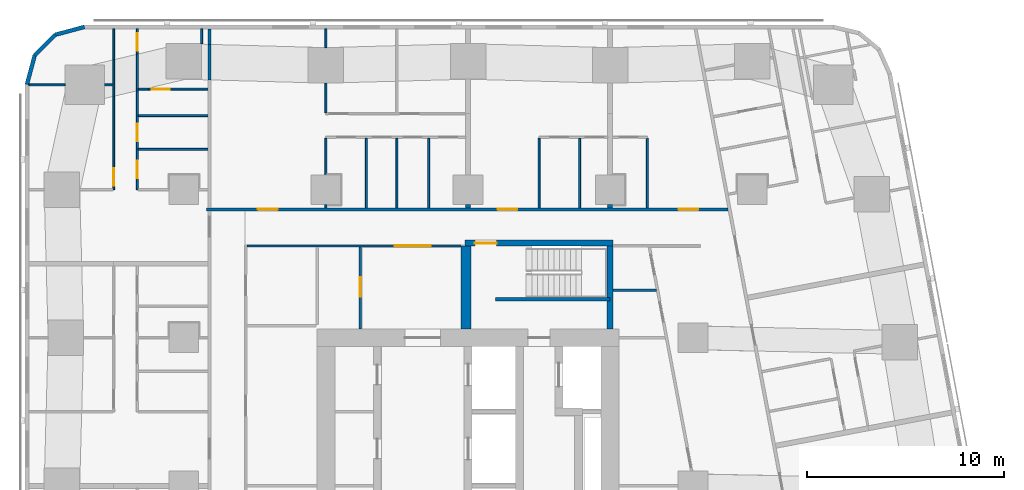
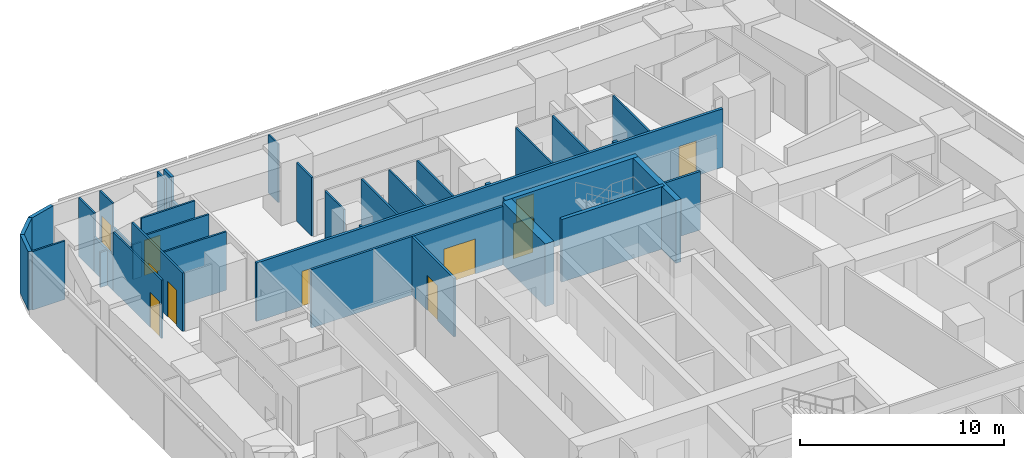
# One storey, part 9 of 15: 38 walls, 11 doors, 11 openings.
"""IFC4 building model written with IfcOpenShell, lengths in metres."""

from ifc_helpers import new_model, si_unit, direction, frame, frame_2d, origin, place, context, subcontext, project, spatial, rectangle, extrude, material, layer, layer_set, type_object, element, fill, save


model = new_model("IFC4")

# Units and contexts
model_context = context("Model", 3, precision=1e-05, world=origin(), true_north=direction((0.0, 1.0)))
body_context = subcontext(model_context, "Body", "Model", "MODEL_VIEW")
ifc_project = project(units=[si_unit("LENGTHUNIT", "METRE"), si_unit("AREAUNIT", "SQUARE_METRE"), si_unit("VOLUMEUNIT", "CUBIC_METRE"), si_unit("PLANEANGLEUNIT", "RADIAN"), si_unit("MASSUNIT", "GRAM", prefix="KILO")], contexts=[model_context])

# Site, building, storey
site_placement = place(None, origin())
site = spatial("IfcSite", under=ifc_project, at=site_placement, CompositionType="ELEMENT")
building_placement = place(site_placement, origin())
building = spatial("IfcBuilding", under=site, at=building_placement, Name="Sheger Commons Tower", CompositionType="ELEMENT")
storey_placement = place(building_placement, frame((0.0, 0.0, 180.800048828125)))
storey = spatial("IfcBuildingStorey", under=building, at=storey_placement, Name="L46", CompositionType="ELEMENT", Elevation=180.800048828125)

# Walls
ifc_material_1 = material(Name="Hollow concrete block masonry, skimmed both sides", Category="masonry")
ifc_layer_1 = layer(ifc_material_1, 0.14990234375)
ifc_layer_set_1 = layer_set([ifc_layer_1], Name="CORRIDOR WALL 150")
wall_type_1 = type_object("IfcWallType", Name="CORRIDOR WALL 150", PredefinedType="SOLIDWALL", material=ifc_layer_set_1)
wall_1_placement = place(storey_placement, frame((8.5, 43.06103515625, 0.0), z_axis=(0.0, 0.0, 1.0), x_axis=(0.0, 1.0, 0.0)))
element("IfcWall", 1, at=wall_1_placement, inside=storey, type_object=wall_type_1, Name="Corridor wall L46", PredefinedType="SOLIDWALL", context=body_context, shape_type="SweptSolid", body=[
    extrude(rectangle(XDim=1.804931640625, YDim=0.14990234375, at=frame_2d((0.90234375, 0.0))), origin(), (0.0, 0.0, 1.0), 2.099853515625),
])
wall_2_placement = place(storey_placement, frame((8.5, 44.865966796875, 0.0), z_axis=(0.0, 0.0, 1.0), x_axis=(0.0, 1.0, 0.0)))
element("IfcWall", 2, at=wall_2_placement, inside=storey, type_object=wall_type_1, Name="Corridor wall L46", PredefinedType="SOLIDWALL", context=body_context, shape_type="SweptSolid", body=[
    extrude(rectangle(XDim=0.783935546875, YDim=0.14990234375, at=frame_2d((0.39208984375, 0.0))), origin(), (0.0, 0.0, 1.0), 3.5),
])

# Wall, openings, doors
wall_3_placement = place(storey_placement, frame((8.35009765625, 36.5, 0.0), z_axis=(0.0, 0.0, 1.0), x_axis=(1.0, 0.0, 0.0)))
wall_3 = element("IfcWall", 3, at=wall_3_placement, inside=storey, type_object=wall_type_1, Name="Corridor wall L46", PredefinedType="SOLIDWALL", context=body_context, shape_type="SweptSolid", body=[
    extrude(rectangle(XDim=26.414794921875, YDim=0.14990234375, at=frame_2d((13.20751953125, 0.0))), origin(), (0.0, 0.0, 1.0), 3.5),
])
opening_1_placement = place(wall_3_placement, frame((2.60009765625, 0.0, 0.0)))
opening_1 = element("IfcOpeningElement", 4, at=opening_1_placement, cuts=wall_3, Name="Opening D1", PredefinedType="OPENING", context=body_context, shape_type="SweptSolid", body=[
    extrude(rectangle(XDim=1.0, YDim=2.10009765625, at=frame_2d((0.5, 1.050048828125))), frame((0.0, 0.0849609375, 0.0), z_axis=(0.0, -1.0, 0.0), x_axis=(1.0, 0.0, 0.0)), (0.0, 0.0, 1.0), 0.169921875),
])
opening_2_placement = place(wall_3_placement, frame((14.75, 0.0, 0.0)))
opening_2 = element("IfcOpeningElement", 5, at=opening_2_placement, cuts=wall_3, Name="Opening D1", PredefinedType="OPENING", context=body_context, shape_type="SweptSolid", body=[
    extrude(rectangle(XDim=1.0, YDim=2.10009765625, at=frame_2d((0.5, 1.050048828125))), frame((0.0, 0.0849609375, 0.0), z_axis=(0.0, -1.0, 0.0), x_axis=(1.0, 0.0, 0.0)), (0.0, 0.0, 1.0), 0.169921875),
])
opening_3_placement = place(wall_3_placement, frame((23.923095703125, 0.0, 0.0)))
opening_3 = element("IfcOpeningElement", 6, at=opening_3_placement, cuts=wall_3, Name="Opening D1", PredefinedType="OPENING", context=body_context, shape_type="SweptSolid", body=[
    extrude(rectangle(XDim=1.0, YDim=2.10009765625, at=frame_2d((0.5, 1.050048828125))), frame((0.0, 0.0849609375, 0.0), z_axis=(0.0, -1.0, 0.0), x_axis=(1.0, 0.0, 0.0)), (0.0, 0.0, 1.0), 0.169921875),
])
ifc_material_2 = material(Name="Steel door set, fire rated", Category="steel")
door_type_1 = type_object("IfcDoorType", Name="FLAT ENTRANCE DOOR 1000x2100", OperationType="NOTDEFINED", PredefinedType="DOOR", material=ifc_material_2)
door_1_placement = place(opening_1_placement, origin())
door_1 = element("IfcDoor", 7, at=door_1_placement, inside=storey, type_object=door_type_1, Name="Flat entrance door", OperationType="SINGLE_SWING_LEFT", OverallHeight=2.10009765625, OverallWidth=1.0, PredefinedType="DOOR", context=body_context, shape_type="SweptSolid", body=[
    extrude(rectangle(XDim=1.0, YDim=2.10009765625, at=frame_2d((0.5, 1.050048828125))), frame((0.0, 0.02490234375, 0.0), z_axis=(0.0, -1.0, 0.0), x_axis=(1.0, 0.0, 0.0)), (0.0, 0.0, 1.0), 0.050048828125),
])
fill(opening_1, door_1)
door_2_placement = place(opening_2_placement, origin())
door_2 = element("IfcDoor", 8, at=door_2_placement, inside=storey, type_object=door_type_1, Name="Flat entrance door", OperationType="SINGLE_SWING_RIGHT", OverallHeight=2.10009765625, OverallWidth=1.0, PredefinedType="DOOR", context=body_context, shape_type="SweptSolid", body=[
    extrude(rectangle(XDim=1.0, YDim=2.10009765625, at=frame_2d((0.5, 1.050048828125))), frame((0.0, 0.02490234375, 0.0), z_axis=(0.0, -1.0, 0.0), x_axis=(1.0, 0.0, 0.0)), (0.0, 0.0, 1.0), 0.050048828125),
])
fill(opening_2, door_2)
door_3_placement = place(opening_3_placement, origin())
door_3 = element("IfcDoor", 9, at=door_3_placement, inside=storey, type_object=door_type_1, Name="Flat entrance door", OperationType="SINGLE_SWING_RIGHT", OverallHeight=2.10009765625, OverallWidth=1.0, PredefinedType="DOOR", context=body_context, shape_type="SweptSolid", body=[
    extrude(rectangle(XDim=1.0, YDim=2.10009765625, at=frame_2d((0.5, 1.050048828125))), frame((0.0, 0.02490234375, 0.0), z_axis=(0.0, -1.0, 0.0), x_axis=(1.0, 0.0, 0.0)), (0.0, 0.0, 1.0), 0.050048828125),
])
fill(opening_3, door_3)

# Walls
ifc_material_3 = material(Name="Dense concrete block masonry, plastered both sides (separating wall between flats)", Category="masonry")
ifc_layer_2 = layer(ifc_material_3, 0.25)
ifc_layer_set_2 = layer_set([ifc_layer_2], Name="DEMISING WALL 250")
wall_type_2 = type_object("IfcWallType", Name="DEMISING WALL 250", PredefinedType="SOLIDWALL", material=ifc_layer_set_2)
for number, where, z_axis, x_axis, name in (
    (10, (21.60009765625, 36.574951171875, 0.0), (0.0, 0.0, 1.0), (0.0, 1.0, 0.0), "Demising wall L46"),
    (11, (28.800048828125, 36.574951171875, 0.0), (0.0, 0.0, 1.0), (0.0, 1.0, 0.0), "Demising wall L46"),
):
    element("IfcWall", number, at=place(storey_placement, frame(where, z_axis=z_axis, x_axis=x_axis)), inside=storey, type_object=wall_type_2, Name=name, PredefinedType="SOLIDWALL", context=body_context, shape_type="SweptSolid", body=[
        extrude(rectangle(XDim=0.174072265625, YDim=0.25, at=frame_2d((0.0869140625, 0.0))), origin(), (0.0, 0.0, 1.0), 3.5),
    ])
ifc_material_4 = material(Name="Rendered concrete block masonry, dark grey", Category="masonry")
ifc_layer_3 = layer(ifc_material_4, 0.199951171875)
ifc_layer_set_3 = layer_set([ifc_layer_3], Name="FACADE WALL 200")
wall_type_3 = type_object("IfcWallType", Name="FACADE WALL 200", PredefinedType="SOLIDWALL", material=ifc_layer_set_3)
wall_4_placement = place(storey_placement, frame((2.1630859375, 45.75, 0.0), z_axis=(0.0, 0.0, 1.0), x_axis=(-0.965832000415, -0.259168954497, 0.0)))
element("IfcWall", 12, at=wall_4_placement, inside=storey, type_object=wall_type_3, Name="Facade wall L46", PredefinedType="SOLIDWALL", context=body_context, shape_type="SweptSolid", body=[
    extrude(rectangle(XDim=1.512939453125, YDim=0.199951171875, at=frame_2d((0.75634765625, 0.0))), origin(), (0.0, 0.0, 1.0), 3.5),
])
wall_5_placement = place(storey_placement, frame((0.701904296875, 45.35791015625, 0.0), z_axis=(0.0, 0.0, 1.0), x_axis=(-0.707106781187, -0.707106781187, 0.0)))
element("IfcWall", 13, at=wall_5_placement, inside=storey, type_object=wall_type_3, Name="Facade wall L46", PredefinedType="SOLIDWALL", context=body_context, shape_type="SweptSolid", body=[
    extrude(rectangle(XDim=1.498779296875, YDim=0.199951171875, at=frame_2d((0.74951171875, 0.0))), origin(), (0.0, 0.0, 1.0), 3.5),
])
wall_6_placement = place(storey_placement, frame((-0.35791015625, 44.298095703125, 0.0), z_axis=(0.0, 0.0, 1.0), x_axis=(-0.259168954497, -0.965832000415, 0.0)))
element("IfcWall", 14, at=wall_6_placement, inside=storey, type_object=wall_type_3, Name="Facade wall L46", PredefinedType="SOLIDWALL", context=body_context, shape_type="SweptSolid", body=[
    extrude(rectangle(XDim=1.512939453125, YDim=0.199951171875, at=frame_2d((0.75634765625, 0.0))), origin(), (0.0, 0.0, 1.0), 3.5),
])
ifc_material_5 = material(Name="Gypsum board on steel studs", Category="steel")
ifc_layer_4 = layer(ifc_material_5, 0.10009765625)
ifc_layer_set_4 = layer_set([ifc_layer_4], Name="PARTITION 100")
wall_type_4 = type_object("IfcWallType", Name="PARTITION 100", PredefinedType="PARTITIONING", material=ifc_layer_set_4)
wall_7_placement = place(storey_placement, frame((8.10009765625, 45.64990234375, 0.0), z_axis=(0.0, 0.0, 1.0), x_axis=(0.0, -1.0, 0.0)))
element("IfcWall", 15, at=wall_7_placement, inside=storey, type_object=wall_type_4, Name="Partition L46", PredefinedType="PARTITIONING", context=body_context, shape_type="SweptSolid", body=[
    extrude(rectangle(XDim=0.7490234375, YDim=0.10009765625, at=frame_2d((0.37451171875, 0.0))), origin(), (0.0, 0.0, 1.0), 3.5),
])

# Wall, opening, door
wall_8_placement = place(storey_placement, frame((3.64990234375, 37.5, 0.0), z_axis=(0.0, 0.0, 1.0), x_axis=(0.0, 1.0, 0.0)))
wall_8 = element("IfcWall", 16, at=wall_8_placement, inside=storey, type_object=wall_type_4, Name="Partition L46", PredefinedType="PARTITIONING", context=body_context, shape_type="SweptSolid", body=[
    extrude(rectangle(XDim=4.72412109375, YDim=0.10009765625, at=frame_2d((2.362060546875, 0.0))), origin(), (0.0, 0.0, 1.0), 3.5),
])
opening_4_placement = place(wall_8_placement, frame((0.199951171875, 0.0, 0.0)))
opening_4 = element("IfcOpeningElement", 17, at=opening_4_placement, cuts=wall_8, Name="Opening D2", PredefinedType="OPENING", context=body_context, shape_type="SweptSolid", body=[
    extrude(rectangle(XDim=0.89990234375, YDim=2.10009765625, at=frame_2d((0.449951171875, 1.050048828125))), frame((0.0, 0.06005859375, 0.0), z_axis=(0.0, -1.0, 0.0), x_axis=(1.0, 0.0, 0.0)), (0.0, 0.0, 1.0), 0.1201171875),
])
ifc_material_6 = material(Name="Timber door set", Category="wood")
door_type_2 = type_object("IfcDoorType", Name="INTERNAL DOOR 900x2100", OperationType="NOTDEFINED", PredefinedType="DOOR", material=ifc_material_6)
door_4_placement = place(opening_4_placement, origin())
door_4 = element("IfcDoor", 18, at=door_4_placement, inside=storey, type_object=door_type_2, Name="Main bedroom door", OperationType="SINGLE_SWING_LEFT", OverallHeight=2.10009765625, OverallWidth=0.89990234375, PredefinedType="DOOR", context=body_context, shape_type="SweptSolid", body=[
    extrude(rectangle(XDim=0.89990234375, YDim=2.10009765625, at=frame_2d((0.449951171875, 1.050048828125))), frame((0.0, 0.02490234375, 0.0), z_axis=(0.0, -1.0, 0.0), x_axis=(1.0, 0.0, 0.0)), (0.0, 0.0, 1.0), 0.050048828125),
])
fill(opening_4, door_4)

# Walls
wall_9_placement = place(storey_placement, frame((3.64990234375, 42.22412109375, 0.0), z_axis=(0.0, 0.0, 1.0), x_axis=(0.0, 1.0, 0.0)))
element("IfcWall", 19, at=wall_9_placement, inside=storey, type_object=wall_type_4, Name="Partition L46", PredefinedType="PARTITIONING", context=body_context, shape_type="SweptSolid", body=[
    extrude(rectangle(XDim=1.872802734375, YDim=0.10009765625, at=frame_2d((0.9365234375, 0.0))), origin(), (0.0, 0.0, 1.0), 2.099853515625),
])
wall_10_placement = place(storey_placement, frame((3.64990234375, 44.096923828125, 0.0), z_axis=(0.0, 0.0, 1.0), x_axis=(0.0, 1.0, 0.0)))
element("IfcWall", 20, at=wall_10_placement, inside=storey, type_object=wall_type_4, Name="Partition L46", PredefinedType="PARTITIONING", context=body_context, shape_type="SweptSolid", body=[
    extrude(rectangle(XDim=1.552978515625, YDim=0.10009765625, at=frame_2d((0.7763671875, 0.0))), origin(), (0.0, 0.0, 1.0), 3.5),
])

# Wall, openings, doors
wall_11_placement = place(storey_placement, frame((4.85009765625, 37.5, 0.0), z_axis=(0.0, 0.0, 1.0), x_axis=(0.0, 1.0, 0.0)))
wall_11 = element("IfcWall", 21, at=wall_11_placement, inside=storey, type_object=wall_type_4, Name="Partition L46", PredefinedType="PARTITIONING", context=body_context, shape_type="SweptSolid", body=[
    extrude(rectangle(XDim=5.007080078125, YDim=0.10009765625, at=frame_2d((2.50341796875, 0.0))), origin(), (0.0, 0.0, 1.0), 3.5),
])
opening_5_placement = place(wall_11_placement, frame((0.574951171875, 0.0, 0.0)))
opening_5 = element("IfcOpeningElement", 22, at=opening_5_placement, cuts=wall_11, Name="Opening D2", PredefinedType="OPENING", context=body_context, shape_type="SweptSolid", body=[
    extrude(rectangle(XDim=0.89990234375, YDim=2.10009765625, at=frame_2d((0.449951171875, 1.050048828125))), frame((0.0, 0.06005859375, 0.0), z_axis=(0.0, -1.0, 0.0), x_axis=(1.0, 0.0, 0.0)), (0.0, 0.0, 1.0), 0.1201171875),
])
opening_6_placement = place(wall_11_placement, frame((2.449951171875, 0.0, 0.0)))
opening_6 = element("IfcOpeningElement", 23, at=opening_6_placement, cuts=wall_11, Name="Opening D2", PredefinedType="OPENING", context=body_context, shape_type="SweptSolid", body=[
    extrude(rectangle(XDim=0.89990234375, YDim=2.10009765625, at=frame_2d((0.449951171875, 1.050048828125))), frame((0.0, 0.06005859375, 0.0), z_axis=(0.0, -1.0, 0.0), x_axis=(1.0, 0.0, 0.0)), (0.0, 0.0, 1.0), 0.1201171875),
])
door_5_placement = place(opening_5_placement, origin())
door_5 = element("IfcDoor", 24, at=door_5_placement, inside=storey, type_object=door_type_2, Name="Bathroom door", OperationType="SINGLE_SWING_RIGHT", OverallHeight=2.10009765625, OverallWidth=0.89990234375, PredefinedType="DOOR", context=body_context, shape_type="SweptSolid", body=[
    extrude(rectangle(XDim=0.89990234375, YDim=2.10009765625, at=frame_2d((0.449951171875, 1.050048828125))), frame((0.0, 0.02490234375, 0.0), z_axis=(0.0, -1.0, 0.0), x_axis=(1.0, 0.0, 0.0)), (0.0, 0.0, 1.0), 0.050048828125),
])
fill(opening_5, door_5)
door_6_placement = place(opening_6_placement, origin())
door_6 = element("IfcDoor", 25, at=door_6_placement, inside=storey, type_object=door_type_2, Name="Store door", OperationType="SINGLE_SWING_LEFT", OverallHeight=2.10009765625, OverallWidth=0.89990234375, PredefinedType="DOOR", context=body_context, shape_type="SweptSolid", body=[
    extrude(rectangle(XDim=0.89990234375, YDim=2.10009765625, at=frame_2d((0.449951171875, 1.050048828125))), frame((0.0, 0.02490234375, 0.0), z_axis=(0.0, -1.0, 0.0), x_axis=(1.0, 0.0, 0.0)), (0.0, 0.0, 1.0), 0.050048828125),
])
fill(opening_6, door_6)

# Wall
wall_12_placement = place(storey_placement, frame((4.85009765625, 42.507080078125, 0.0), z_axis=(0.0, 0.0, 1.0), x_axis=(0.0, 1.0, 0.0)))
element("IfcWall", 26, at=wall_12_placement, inside=storey, type_object=wall_type_4, Name="Partition L46", PredefinedType="PARTITIONING", context=body_context, shape_type="SweptSolid", body=[
    extrude(rectangle(XDim=1.8740234375, YDim=0.10009765625, at=frame_2d((0.93701171875, 0.0))), origin(), (0.0, 0.0, 1.0), 2.099853515625),
])

# Wall, opening, door
wall_13_placement = place(storey_placement, frame((4.85009765625, 44.381103515625, 0.0), z_axis=(0.0, 0.0, 1.0), x_axis=(0.0, 1.0, 0.0)))
wall_13 = element("IfcWall", 27, at=wall_13_placement, inside=storey, type_object=wall_type_4, Name="Partition L46", PredefinedType="PARTITIONING", context=body_context, shape_type="SweptSolid", body=[
    extrude(rectangle(XDim=1.268798828125, YDim=0.10009765625, at=frame_2d((0.63427734375, 0.0))), origin(), (0.0, 0.0, 1.0), 3.5),
])
opening_7_placement = place(wall_13_placement, frame((0.14990234375, 0.0, 0.0)))
opening_7 = element("IfcOpeningElement", 28, at=opening_7_placement, cuts=wall_13, Name="Opening D2", PredefinedType="OPENING", context=body_context, shape_type="SweptSolid", body=[
    extrude(rectangle(XDim=0.89990234375, YDim=2.10009765625, at=frame_2d((0.449951171875, 1.050048828125))), frame((0.0, 0.06005859375, 0.0), z_axis=(0.0, -1.0, 0.0), x_axis=(1.0, 0.0, 0.0)), (0.0, 0.0, 1.0), 0.1201171875),
])
door_7_placement = place(opening_7_placement, origin())
door_7 = element("IfcDoor", 29, at=door_7_placement, inside=storey, type_object=door_type_2, Name="Store and laundry door", OperationType="SINGLE_SWING_RIGHT", OverallHeight=2.10009765625, OverallWidth=0.89990234375, PredefinedType="DOOR", context=body_context, shape_type="SweptSolid", body=[
    extrude(rectangle(XDim=0.89990234375, YDim=2.10009765625, at=frame_2d((0.449951171875, 1.050048828125))), frame((0.0, 0.02490234375, 0.0), z_axis=(0.0, -1.0, 0.0), x_axis=(1.0, 0.0, 0.0)), (0.0, 0.0, 1.0), 0.050048828125),
])
fill(opening_7, door_7)

# Walls
wall_14_placement = place(storey_placement, frame((-0.64990234375, 42.81396484375, 0.0), z_axis=(0.0, 0.0, 1.0), x_axis=(1.0, 0.0, 0.0)))
element("IfcWall", 30, at=wall_14_placement, inside=storey, type_object=wall_type_4, Name="Partition L46", PredefinedType="PARTITIONING", context=body_context, shape_type="SweptSolid", body=[
    extrude(rectangle(XDim=1.8349609375, YDim=0.10009765625, at=frame_2d((0.91748046875, 0.0))), origin(), (0.0, 0.0, 1.0), 3.5),
])
wall_15_placement = place(storey_placement, frame((3.18701171875, 42.81396484375, 0.0), z_axis=(0.0, 0.0, 1.0), x_axis=(1.0, 0.0, 0.0)))
element("IfcWall", 31, at=wall_15_placement, inside=storey, type_object=wall_type_4, Name="Partition L46", PredefinedType="PARTITIONING", context=body_context, shape_type="SweptSolid", body=[
    extrude(rectangle(XDim=0.4130859375, YDim=0.10009765625, at=frame_2d((0.20654296875, 0.0))), origin(), (0.0, 0.0, 1.0), 2.099853515625),
])
for number, where, z_axis, x_axis, name in (
    (32, (4.89990234375, 41.25, 0.0), (0.0, 0.0, 1.0), (1.0, 0.0, 0.0), "Partition L46"),
    (33, (4.89990234375, 39.550048828125, 0.0), (0.0, 0.0, 1.0), (1.0, 0.0, 0.0), "Partition L46"),
):
    element("IfcWall", number, at=place(storey_placement, frame(where, z_axis=z_axis, x_axis=x_axis)), inside=storey, type_object=wall_type_4, Name=name, PredefinedType="PARTITIONING", context=body_context, shape_type="SweptSolid", body=[
        extrude(rectangle(XDim=3.525146484375, YDim=0.10009765625, at=frame_2d((1.7626953125, 0.0))), origin(), (0.0, 0.0, 1.0), 3.5),
    ])
wall_16_placement = place(storey_placement, frame((14.39990234375, 41.39990234375, 0.0), z_axis=(0.0, 0.0, 1.0), x_axis=(0.0, 1.0, 0.0)))
element("IfcWall", 34, at=wall_16_placement, inside=storey, type_object=wall_type_4, Name="Partition L46", PredefinedType="PARTITIONING", context=body_context, shape_type="SweptSolid", body=[
    extrude(rectangle(XDim=1.4990234375, YDim=0.10009765625, at=frame_2d((0.74951171875, 0.0))), origin(), (0.0, 0.0, 1.0), 3.5),
])
wall_17_placement = place(storey_placement, frame((14.39990234375, 44.700927734375, 0.0), z_axis=(0.0, 0.0, 1.0), x_axis=(0.0, 1.0, 0.0)))
element("IfcWall", 35, at=wall_17_placement, inside=storey, type_object=wall_type_4, Name="Partition L46", PredefinedType="PARTITIONING", context=body_context, shape_type="SweptSolid", body=[
    extrude(rectangle(XDim=0.948974609375, YDim=0.10009765625, at=frame_2d((0.474609375, 0.0))), origin(), (0.0, 0.0, 1.0), 3.5),
])
wall_18_placement = place(storey_placement, frame((14.39990234375, 36.574951171875, 0.0), z_axis=(0.0, 0.0, 1.0), x_axis=(0.0, 1.0, 0.0)))
element("IfcWall", 36, at=wall_18_placement, inside=storey, type_object=wall_type_4, Name="Partition L46", PredefinedType="PARTITIONING", context=body_context, shape_type="SweptSolid", body=[
    extrude(rectangle(XDim=0.174072265625, YDim=0.10009765625, at=frame_2d((0.0869140625, 0.0))), origin(), (0.0, 0.0, 1.0), 3.5),
])
wall_19_placement = place(storey_placement, frame((14.39990234375, 38.2509765625, 0.0), z_axis=(0.0, 0.0, 1.0), x_axis=(0.0, 1.0, 0.0)))
element("IfcWall", 37, at=wall_19_placement, inside=storey, type_object=wall_type_4, Name="Partition L46", PredefinedType="PARTITIONING", context=body_context, shape_type="SweptSolid", body=[
    extrude(rectangle(XDim=1.84912109375, YDim=0.10009765625, at=frame_2d((0.924560546875, 0.0))), origin(), (0.0, 0.0, 1.0), 3.5),
])
for number, where, z_axis, x_axis, name in (
    (38, (18.0, 36.574951171875, 0.0), (0.0, 0.0, 1.0), (0.0, 1.0, 0.0), "Partition L46"),
    (39, (16.449951171875, 36.574951171875, 0.0), (0.0, 0.0, 1.0), (0.0, 1.0, 0.0), "Partition L46"),
    (40, (19.60009765625, 36.574951171875, 0.0), (0.0, 0.0, 1.0), (0.0, 1.0, 0.0), "Partition L46"),
    (41, (25.199951171875, 36.574951171875, 0.0), (0.0, 0.0, 1.0), (0.0, 1.0, 0.0), "Partition L46"),
    (42, (27.25, 36.574951171875, 0.0), (0.0, 0.0, 1.0), (0.0, 1.0, 0.0), "Partition L46"),
    (43, (30.68994140625, 36.574951171875, 0.0), (0.0, 0.0, 1.0), (0.0, 1.0, 0.0), "Partition L46"),
):
    element("IfcWall", number, at=place(storey_placement, frame(where, z_axis=z_axis, x_axis=x_axis)), inside=storey, type_object=wall_type_4, Name=name, PredefinedType="PARTITIONING", context=body_context, shape_type="SweptSolid", body=[
        extrude(rectangle(XDim=3.525146484375, YDim=0.10009765625, at=frame_2d((1.7626953125, 0.0))), origin(), (0.0, 0.0, 1.0), 3.5),
    ])

# Wall, opening, door
wall_20_placement = place(storey_placement, frame((8.425048828125, 42.60009765625, 0.0), z_axis=(0.0, 0.0, 1.0), x_axis=(-1.0, 0.0, 0.0)))
wall_20 = element("IfcWall", 44, at=wall_20_placement, inside=storey, type_object=wall_type_4, Name="Partition L46", PredefinedType="PARTITIONING", context=body_context, shape_type="SweptSolid", body=[
    extrude(rectangle(XDim=3.02197265625, YDim=0.10009765625, at=frame_2d((1.510986328125, 0.0))), origin(), (0.0, 0.0, 1.0), 3.5),
])
opening_8_placement = place(wall_20_placement, frame((1.949951171875, 0.0, 0.0)))
opening_8 = element("IfcOpeningElement", 45, at=opening_8_placement, cuts=wall_20, Name="Opening D2", PredefinedType="OPENING", context=body_context, shape_type="SweptSolid", body=[
    extrude(rectangle(XDim=0.89990234375, YDim=2.10009765625, at=frame_2d((0.449951171875, 1.050048828125))), frame((0.0, 0.06005859375, 0.0), z_axis=(0.0, -1.0, 0.0), x_axis=(1.0, 0.0, 0.0)), (0.0, 0.0, 1.0), 0.1201171875),
])
door_8_placement = place(opening_8_placement, origin())
door_8 = element("IfcDoor", 46, at=door_8_placement, inside=storey, type_object=door_type_2, Name="Store door", OperationType="SINGLE_SWING_RIGHT", OverallHeight=2.10009765625, OverallWidth=0.89990234375, PredefinedType="DOOR", context=body_context, shape_type="SweptSolid", body=[
    extrude(rectangle(XDim=0.89990234375, YDim=2.10009765625, at=frame_2d((0.449951171875, 1.050048828125))), frame((0.0, 0.02490234375, 0.0), z_axis=(0.0, -1.0, 0.0), x_axis=(1.0, 0.0, 0.0)), (0.0, 0.0, 1.0), 0.050048828125),
])
fill(opening_8, door_8)

# Wall
wall_21_placement = place(storey_placement, frame((5.403076171875, 42.60009765625, 0.0), z_axis=(0.0, 0.0, 1.0), x_axis=(-1.0, 0.0, 0.0)))
element("IfcWall", 47, at=wall_21_placement, inside=storey, type_object=wall_type_4, Name="Partition L46", PredefinedType="PARTITIONING", context=body_context, shape_type="SweptSolid", body=[
    extrude(rectangle(XDim=0.503173828125, YDim=0.10009765625, at=frame_2d((0.25146484375, 0.0))), origin(), (0.0, 0.0, 1.0), 2.099853515625),
])

# Wall, opening, door
ifc_material_7 = material(Name="Gypsum board on steel studs, two layers each side, fire rated", Category="steel")
ifc_layer_5 = layer(ifc_material_7, 0.125)
ifc_layer_set_5 = layer_set([ifc_layer_5], Name="SERVICE WALL 125")
wall_type_5 = type_object("IfcWallType", Name="SERVICE WALL 125", PredefinedType="PARTITIONING", material=ifc_layer_set_5)
wall_22_placement = place(storey_placement, frame((10.4130859375, 34.64990234375, 0.0), z_axis=(0.0, 0.0, 1.0), x_axis=(1.0, 0.0, 0.0)))
wall_22 = element("IfcWall", 48, at=wall_22_placement, inside=storey, type_object=wall_type_5, Name="Service room wall L46", PredefinedType="PARTITIONING", context=body_context, shape_type="SweptSolid", body=[
    extrude(rectangle(XDim=10.8369140625, YDim=0.125, at=frame_2d((5.41845703125, 0.0))), origin(), (0.0, 0.0, 1.0), 3.5),
])
opening_9_placement = place(wall_22_placement, frame((7.487060546875, 0.0, 0.0)))
opening_9 = element("IfcOpeningElement", 49, at=opening_9_placement, cuts=wall_22, Name="Opening D6", PredefinedType="OPENING", context=body_context, shape_type="SweptSolid", body=[
    extrude(rectangle(XDim=1.800048828125, YDim=2.10009765625, at=frame_2d((0.89990234375, 1.050048828125))), frame((0.0, 0.072509765625, 0.0), z_axis=(0.0, -1.0, 0.0), x_axis=(1.0, 0.0, 0.0)), (0.0, 0.0, 1.0), 0.14501953125),
])
ifc_material_8 = material(Name="Steel door set, fire rated", Category="steel")
door_type_3 = type_object("IfcDoorType", Name="LOBBY DOUBLE DOOR 1800x2100", OperationType="DOUBLE_DOOR_SINGLE_SWING", PredefinedType="DOOR", material=ifc_material_8)
door_9_placement = place(opening_9_placement, origin())
door_9 = element("IfcDoor", 50, at=door_9_placement, inside=storey, type_object=door_type_3, Name="Lift lobby north door", OperationType="DOUBLE_DOOR_SINGLE_SWING", OverallHeight=2.10009765625, OverallWidth=1.800048828125, PredefinedType="DOOR", context=body_context, shape_type="SweptSolid", body=[
    extrude(rectangle(XDim=1.800048828125, YDim=2.10009765625, at=frame_2d((0.89990234375, 1.050048828125))), frame((0.0, 0.02490234375, 0.0), z_axis=(0.0, -1.0, 0.0), x_axis=(1.0, 0.0, 0.0)), (0.0, 0.0, 1.0), 0.050048828125),
])
fill(opening_9, door_9)

wall_23_placement = place(storey_placement, frame((16.14990234375, 30.449951171875, 0.0), z_axis=(0.0, 0.0, 1.0), x_axis=(0.0, 1.0, 0.0)))
wall_23 = element("IfcWall", 51, at=wall_23_placement, inside=storey, type_object=wall_type_5, Name="Service room wall L46", PredefinedType="PARTITIONING", context=body_context, shape_type="SweptSolid", body=[
    extrude(rectangle(XDim=4.136962890625, YDim=0.125, at=frame_2d((2.068359375, 0.0))), origin(), (0.0, 0.0, 1.0), 3.5),
])
opening_10_placement = place(wall_23_placement, frame((1.625, 0.0, 0.0)))
opening_10 = element("IfcOpeningElement", 52, at=opening_10_placement, cuts=wall_23, Name="Opening D4", PredefinedType="OPENING", context=body_context, shape_type="SweptSolid", body=[
    extrude(rectangle(XDim=1.0, YDim=2.10009765625, at=frame_2d((0.5, 1.050048828125))), frame((0.0, 0.072509765625, 0.0), z_axis=(0.0, -1.0, 0.0), x_axis=(1.0, 0.0, 0.0)), (0.0, 0.0, 1.0), 0.14501953125),
])
ifc_material_9 = material(Name="Steel door set, fire rated", Category="steel")
door_type_4 = type_object("IfcDoorType", Name="SERVICE DOOR 1000x2100", OperationType="NOTDEFINED", PredefinedType="DOOR", material=ifc_material_9)
door_10_placement = place(opening_10_placement, origin())
door_10 = element("IfcDoor", 53, at=door_10_placement, inside=storey, type_object=door_type_4, Name="Telecom room door", OperationType="SINGLE_SWING_RIGHT", OverallHeight=2.10009765625, OverallWidth=1.0, PredefinedType="DOOR", context=body_context, shape_type="SweptSolid", body=[
    extrude(rectangle(XDim=1.0, YDim=2.10009765625, at=frame_2d((0.5, 1.050048828125))), frame((0.0, 0.02490234375, 0.0), z_axis=(0.0, -1.0, 0.0), x_axis=(1.0, 0.0, 0.0)), (0.0, 0.0, 1.0), 0.050048828125),
])
fill(opening_10, door_10)

# Wall
wall_24_placement = place(storey_placement, frame((28.949951171875, 32.39990234375, 0.0), z_axis=(0.0, 0.0, 1.0), x_axis=(1.0, 0.0, 0.0)))
element("IfcWall", 54, at=wall_24_placement, inside=storey, type_object=wall_type_5, Name="Service room wall L46", PredefinedType="PARTITIONING", context=body_context, shape_type="SweptSolid", body=[
    extrude(rectangle(XDim=2.18896484375, YDim=0.125, at=frame_2d((1.094482421875, 0.0))), origin(), (0.0, 0.0, 1.0), 3.5),
])

# Wall, opening, door
ifc_material_10 = material(Name="Concrete C50/60", Category="concrete")
ifc_layer_6 = layer(ifc_material_10, 0.300048828125)
ifc_layer_set_6 = layer_set([ifc_layer_6], Name="STAIR CORE WALL 300")
wall_type_6 = type_object("IfcWallType", Name="STAIR CORE WALL 300", PredefinedType="SHEAR", material=ifc_layer_set_6)
wall_25_placement = place(storey_placement, frame((21.449951171875, 34.800048828125, 0.0), z_axis=(0.0, 0.0, 1.0), x_axis=(1.0, 0.0, 0.0)))
wall_25 = element("IfcWall", 55, at=wall_25_placement, inside=storey, type_object=wall_type_6, Name="STW-L46-S2N", PredefinedType="SHEAR", context=body_context, shape_type="SweptSolid", body=[
    extrude(rectangle(XDim=7.5, YDim=0.300048828125, at=frame_2d((3.75, 0.0))), origin(), (0.0, 0.0, 1.0), 3.75),
])
opening_11_placement = place(wall_25_placement, frame((0.5, 0.0, 0.0)))
opening_11 = element("IfcOpeningElement", 56, at=opening_11_placement, cuts=wall_25, Name="Opening D5", PredefinedType="OPENING", context=body_context, shape_type="SweptSolid", body=[
    extrude(rectangle(XDim=1.10009765625, YDim=2.10009765625, at=frame_2d((0.550048828125, 1.050048828125))), frame((0.0, 0.159912109375, 0.0), z_axis=(0.0, -1.0, 0.0), x_axis=(1.0, 0.0, 0.0)), (0.0, 0.0, 1.0), 0.320068359375),
])
ifc_material_11 = material(Name="Steel door set, fire rated", Category="steel")
door_type_5 = type_object("IfcDoorType", Name="STAIR DOOR 1100x2100", OperationType="NOTDEFINED", PredefinedType="DOOR", material=ifc_material_11)
door_11_placement = place(opening_11_placement, origin())
door_11 = element("IfcDoor", 57, at=door_11_placement, inside=storey, type_object=door_type_5, Name="Stair S2 door", OperationType="SINGLE_SWING_RIGHT", OverallHeight=2.10009765625, OverallWidth=1.10009765625, PredefinedType="DOOR", context=body_context, shape_type="SweptSolid", body=[
    extrude(rectangle(XDim=1.10009765625, YDim=2.10009765625, at=frame_2d((0.550048828125, 1.050048828125))), frame((0.0, 0.02490234375, 0.0), z_axis=(0.0, -1.0, 0.0), x_axis=(1.0, 0.0, 0.0)), (0.0, 0.0, 1.0), 0.050048828125),
])
fill(opening_11, door_11)

# Walls
wall_26_placement = place(storey_placement, frame((28.800048828125, 30.449951171875, 0.0), z_axis=(0.0, 0.0, 1.0), x_axis=(0.0, 1.0, 0.0)))
element("IfcWall", 58, at=wall_26_placement, inside=storey, type_object=wall_type_6, Name="STW-L46-S2E", PredefinedType="SHEAR", context=body_context, shape_type="SweptSolid", body=[
    extrude(rectangle(XDim=4.199951171875, YDim=0.300048828125, at=frame_2d((2.10009765625, 0.0))), origin(), (0.0, 0.0, 1.0), 3.75),
])
ifc_material_12 = material(Name="Concrete C50/60", Category="concrete")
ifc_layer_7 = layer(ifc_material_12, 0.5)
ifc_layer_set_7 = layer_set([ifc_layer_7], Name="STAIR CORE WALL 500")
wall_type_7 = type_object("IfcWallType", Name="STAIR CORE WALL 500", PredefinedType="SHEAR", material=ifc_layer_set_7)
wall_27_placement = place(storey_placement, frame((21.5, 30.449951171875, 0.0), z_axis=(0.0, 0.0, 1.0), x_axis=(0.0, 1.0, 0.0)))
element("IfcWall", 59, at=wall_27_placement, inside=storey, type_object=wall_type_7, Name="STW-L46-S2W", PredefinedType="SHEAR", context=body_context, shape_type="SweptSolid", body=[
    extrude(rectangle(XDim=4.199951171875, YDim=0.5, at=frame_2d((2.10009765625, 0.0))), origin(), (0.0, 0.0, 1.0), 3.75),
])
ifc_material_13 = material(Name="Concrete C50/60", Category="concrete")
ifc_layer_8 = layer(ifc_material_13, 0.199951171875)
ifc_layer_set_8 = layer_set([ifc_layer_8], Name="STAIR SPINE WALL 200")
wall_type_8 = type_object("IfcWallType", Name="STAIR SPINE WALL 200", PredefinedType="SHEAR", material=ifc_layer_set_8)
wall_28_placement = place(storey_placement, frame((23.0, 31.949951171875, 0.0), z_axis=(0.0, 0.0, 1.0), x_axis=(1.0, 0.0, 0.0)))
element("IfcWall", 60, at=wall_28_placement, inside=storey, type_object=wall_type_8, Name="Stair spine wall L46", PredefinedType="SHEAR", context=body_context, shape_type="SweptSolid", body=[
    extrude(rectangle(XDim=5.800048828125, YDim=0.199951171875, at=frame_2d((2.89990234375, 0.0))), origin(), (0.0, 0.0, 1.0), 3.75),
])

save(model, "model.ifc")
